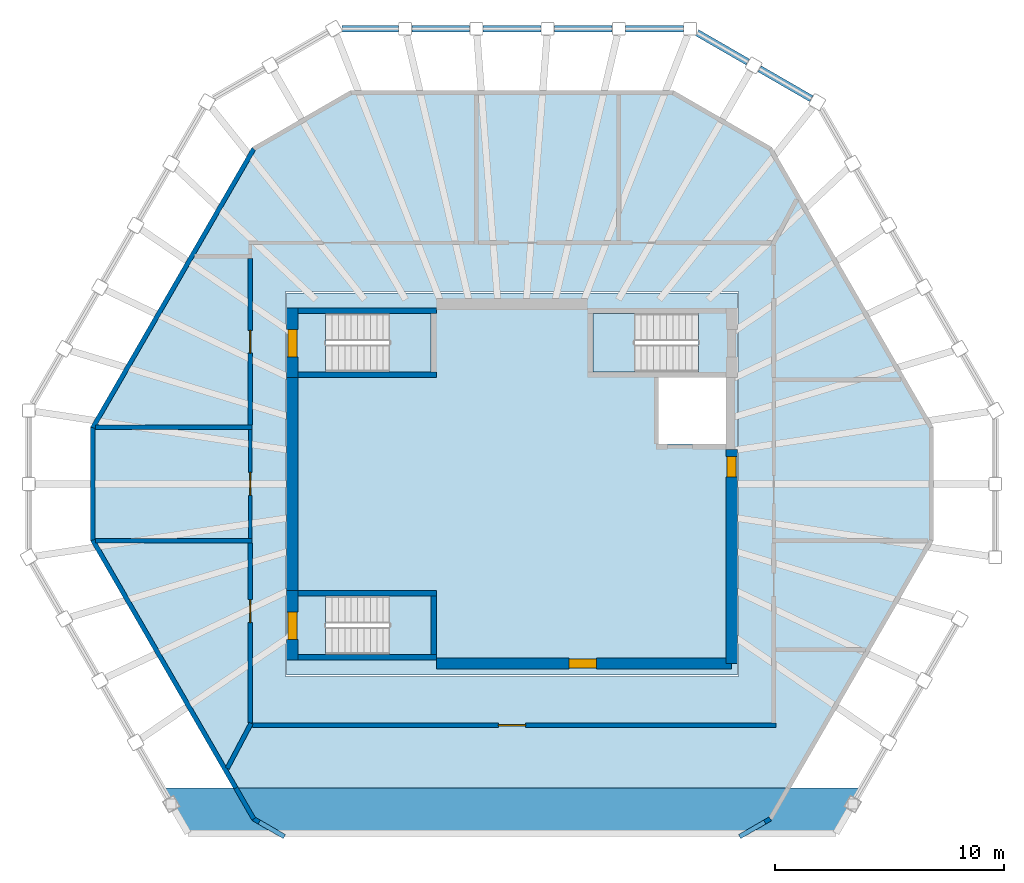
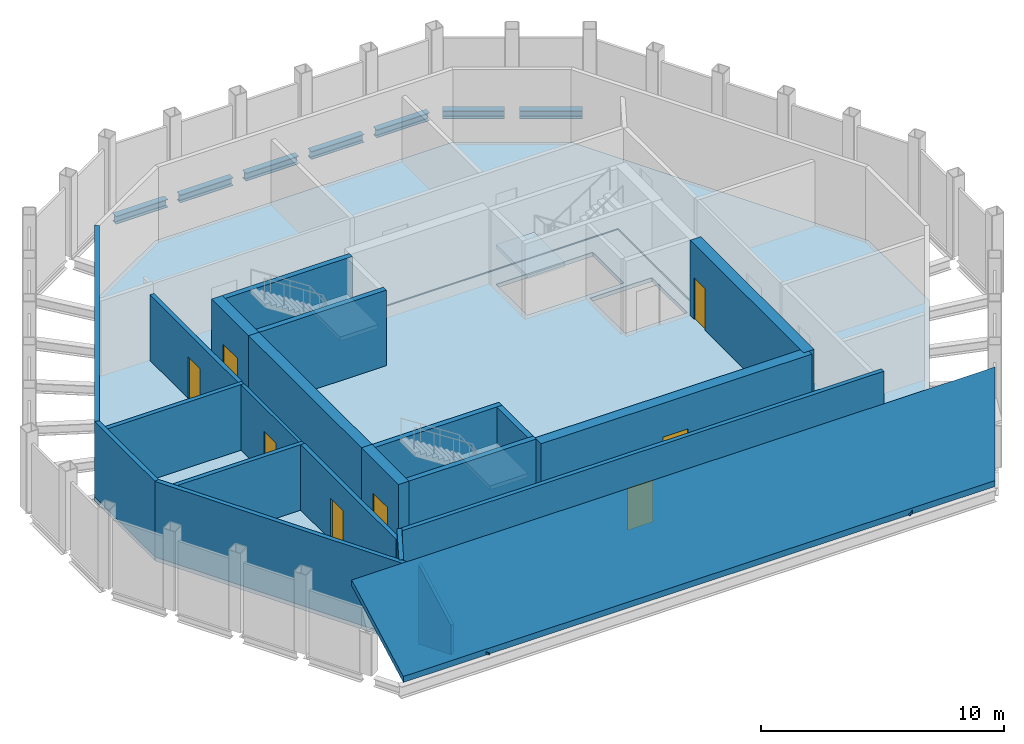
# One storey, part 2 of 5: 23 walls, 8 doors, 7 beams, 6 slabs, 8 openings, 3 elements without a shape of their own.
"""IFC4 building model written with IfcOpenShell, lengths in metres."""

from ifc_helpers import new_model, si_unit, direction, frame, frame_2d, origin, origin_2d, place, context, subcontext, project, spatial, polyline, rectangle, i_section, outline, extrude, material, layer, layer_set, material_profile, profile_set, type_object, element, fill, aggregate, save


model = new_model("IFC4")

# Units and contexts
model_context = context("Model", 3, precision=1e-05, world=origin(), true_north=direction((0.0, 1.0)))
body_context = subcontext(model_context, "Body", "Model", "MODEL_VIEW")
ifc_project = project(units=[si_unit("LENGTHUNIT", "METRE"), si_unit("AREAUNIT", "SQUARE_METRE"), si_unit("VOLUMEUNIT", "CUBIC_METRE"), si_unit("PLANEANGLEUNIT", "RADIAN"), si_unit("MASSUNIT", "GRAM", prefix="KILO")], contexts=[model_context])

# Site, building, storey
site_placement = place(None, origin())
site = spatial("IfcSite", under=ifc_project, at=site_placement, CompositionType="ELEMENT")
building_placement = place(site_placement, origin())
building = spatial("IfcBuilding", under=site, at=building_placement, Name="Frailejon Research Tower", CompositionType="ELEMENT")
storey_placement = place(building_placement, frame((0.0, 0.0, 348.60009765625)))
storey = spatial("IfcBuildingStorey", under=building, at=storey_placement, Name="L78", CompositionType="ELEMENT", Elevation=348.60009765625)

# Beams
ifc_material_1 = material(Name="Steel S355", Category="steel")
ifc_material_profile = material_profile(ifc_material_1, i_section(OverallWidth=0.300048828125, OverallDepth=0.39990234375, WebThickness=0.013427734375, FlangeThickness=0.02392578125, FilletRadius=0.027099609375, at=origin_2d()), Name="HE 400 B")
ifc_profile_set = profile_set([ifc_material_profile], Name="Steel S355")
beam_type = type_object("IfcBeamType", Name="Crown ring beam", PredefinedType="BEAM", material=ifc_profile_set)
beam_1_placement = place(storey_placement, frame((13.08056640625, 16.843994140625, -0.400146484375), z_axis=(-0.866049872286, 0.499957616916, 0.0), x_axis=(-0.499957616916, -0.866049872286, 0.0)))
element("IfcBeam", 1, at=beam_1_placement, inside=storey, type_object=beam_type, Name="Crown ring beam", PredefinedType="BEAM", context=body_context, shape_type="SweptSolid", body=[
    extrude(i_section(OverallWidth=0.300048828125, OverallDepth=0.39990234375, WebThickness=0.013427734375, FlangeThickness=0.02392578125, FilletRadius=0.027099609375, at=origin_2d()), origin(), (0.0, 0.0, 1.0), 2.606201171875),
])
beam_2_placement = place(storey_placement, frame((10.303955078125, 18.447021484375, -0.400146484375), z_axis=(-0.866039463868, 0.499975646431, 0.0), x_axis=(-0.499975646431, -0.866039463868, 0.0)))
element("IfcBeam", 2, at=beam_2_placement, inside=storey, type_object=beam_type, Name="Crown ring beam", PredefinedType="BEAM", context=body_context, shape_type="SweptSolid", body=[
    extrude(i_section(OverallWidth=0.300048828125, OverallDepth=0.39990234375, WebThickness=0.013427734375, FlangeThickness=0.02392578125, FilletRadius=0.027099609375, at=origin_2d()), origin(), (0.0, 0.0, 1.0), 2.559814453125),
])
for number, where, z_axis, x_axis, name in (
    (3, (7.4873046875, 19.89990234375, -0.400146484375), (-1.0, 0.0, 0.0), (0.0, -1.0, 0.0), "Crown ring beam"),
    (4, (4.372314453125, 19.89990234375, -0.400146484375), (-1.0, 0.0, 0.0), (0.0, -1.0, 0.0), "Crown ring beam"),
):
    element("IfcBeam", number, at=place(storey_placement, frame(where, z_axis=z_axis, x_axis=x_axis)), inside=storey, type_object=beam_type, Name=name, PredefinedType="BEAM", context=body_context, shape_type="SweptSolid", body=[
        extrude(i_section(OverallWidth=0.300048828125, OverallDepth=0.39990234375, WebThickness=0.013427734375, FlangeThickness=0.02392578125, FilletRadius=0.027099609375, at=origin_2d()), origin(), (0.0, 0.0, 1.0), 2.514892578125),
    ])
beam_3_placement = place(storey_placement, frame((1.25732421875, 19.89990234375, -0.400146484375), z_axis=(-1.0, 0.0, 0.0), x_axis=(0.0, -1.0, 0.0)))
element("IfcBeam", 5, at=beam_3_placement, inside=storey, type_object=beam_type, Name="Crown ring beam", PredefinedType="BEAM", context=body_context, shape_type="SweptSolid", body=[
    extrude(i_section(OverallWidth=0.300048828125, OverallDepth=0.39990234375, WebThickness=0.013427734375, FlangeThickness=0.02392578125, FilletRadius=0.027099609375, at=origin_2d()), origin(), (0.0, 0.0, 1.0), 2.5146484375),
])
beam_4_placement = place(storey_placement, frame((-1.857421875, 19.89990234375, -0.400146484375), z_axis=(-1.0, 0.0, 0.0), x_axis=(0.0, -1.0, 0.0)))
element("IfcBeam", 6, at=beam_4_placement, inside=storey, type_object=beam_type, Name="Crown ring beam", PredefinedType="BEAM", context=body_context, shape_type="SweptSolid", body=[
    extrude(i_section(OverallWidth=0.300048828125, OverallDepth=0.39990234375, WebThickness=0.013427734375, FlangeThickness=0.02392578125, FilletRadius=0.027099609375, at=origin_2d()), origin(), (0.0, 0.0, 1.0), 2.514892578125),
])
beam_5_placement = place(storey_placement, frame((-4.972412109375, 19.89990234375, -0.400146484375), z_axis=(-1.0, 0.0, 0.0), x_axis=(0.0, -1.0, 0.0)))
element("IfcBeam", 7, at=beam_5_placement, inside=storey, type_object=beam_type, Name="Crown ring beam", PredefinedType="BEAM", context=body_context, shape_type="SweptSolid", body=[
    extrude(i_section(OverallWidth=0.300048828125, OverallDepth=0.39990234375, WebThickness=0.013427734375, FlangeThickness=0.02392578125, FilletRadius=0.027099609375, at=origin_2d()), origin(), (0.0, 0.0, 1.0), 2.468505859375),
])

# Slabs
ifc_material_2 = material(Name="Concrete C50/60", Category="concrete")
ifc_layer_1 = layer(ifc_material_2, 0.199951171875)
ifc_layer_set_1 = layer_set([ifc_layer_1], Name="Core floor slab 200 C50/60")
slab_type_1 = type_object("IfcSlabType", Name="Core floor slab 200 C50/60", PredefinedType="FLOOR", material=ifc_layer_set_1)
slab_1_placement = place(storey_placement, frame((0.0, 0.0, -0.2001953125)))
element("IfcSlab", 8, at=slab_1_placement, inside=storey, type_object=slab_type_1, Name="Core floor slab", PredefinedType="FLOOR", context=body_context, shape_type="SweptSolid", body=[
    extrude(outline(polyline([(-9.85009765625, -8.35009765625), (-9.85009765625, 8.35009765625), (9.85009765625, 8.35009765625), (9.85009765625, -8.35009765625), (-9.85009765625, -8.35009765625)]), holes=[polyline([(9.35009765625, 1.75), (9.35009765625, 4.64990234375), (6.39990234375, 4.64990234375), (6.39990234375, 1.75), (9.35009765625, 1.75)]), polyline([(-8.14697265625, 4.89990234375), (-3.550048828125, 4.89990234375), (-3.550048828125, 7.449951171875), (-8.14697265625, 7.449951171875), (-8.14697265625, 4.89990234375)]), polyline([(-8.14697265625, -7.449951171875), (-3.550048828125, -7.449951171875), (-3.550048828125, -4.89990234375), (-8.14697265625, -4.89990234375), (-8.14697265625, -7.449951171875)]), polyline([(8.14697265625, 7.449951171875), (3.550048828125, 7.449951171875), (3.550048828125, 4.89990234375), (8.14697265625, 4.89990234375), (8.14697265625, 7.449951171875)])]), origin(), (0.0, 0.0, 1.0), 0.2001953125),
])
ifc_material_3 = material(Name="Safety glass roof panel on steel frame", Category="steel")
ifc_layer_2 = layer(ifc_material_3, 0.300048828125)
ifc_layer_set_2 = layer_set([ifc_layer_2], Name="Crown glazed roof facet 300")
slab_type_2 = type_object("IfcSlabType", Name="Crown glazed roof facet 300", PredefinedType="ROOF", material=ifc_layer_set_2)
slab_2_placement = place(storey_placement, frame((-15.30419921875, -13.292236328125, 4.0), z_axis=(0.0, -0.88293703386, 0.469491420837), x_axis=(1.0, 0.0, 0.0)))
element("IfcSlab", 9, at=slab_2_placement, inside=storey, type_object=slab_type_2, Name="Crown glazed roof facet 2", PredefinedType="ROOF", context=body_context, shape_type="SweptSolid", body=[
    extrude(outline(polyline([(0.0, 0.0), (30.6083984375, 0.0), (29.380615234375, -4.5303343801475915), (1.227783203125, -4.5303343801475915), (0.0, 0.0)])), origin(), (0.0, 0.88293703386, 0.469491420837), 0.300048828125),
])
ifc_material_4 = material(Name="Concrete C30/37", Category="concrete")
ifc_layer_3 = layer(ifc_material_4, 0.199951171875)
ifc_layer_set_3 = layer_set([ifc_layer_3], Name="Crown slab 200")
slab_type_3 = type_object("IfcSlabType", Name="Crown slab 200", PredefinedType="FLOOR", material=ifc_layer_set_3)
slab_3_placement = place(storey_placement, frame((0.0, 0.0, -0.2001953125)))
element("IfcSlab", 10, at=slab_3_placement, inside=storey, type_object=slab_type_3, Name="Floor slab L78", PredefinedType="FLOOR", context=body_context, shape_type="SweptSolid", body=[
    extrude(outline(polyline([(-18.427490234375, 2.482666015625), (-18.427490234375, -2.482666015625), (-11.36376953125, -14.71728515625), (-10.793212890625, -15.046875), (10.793212890625, -15.046875), (11.36376953125, -14.71728515625), (18.427490234375, -2.482666015625), (18.427490234375, 2.482666015625), (11.36376953125, 14.71728515625), (7.063720703125, 17.199951171875), (-7.063720703125, 17.199951171875), (-11.36376953125, 14.71728515625), (-18.427490234375, 2.482666015625)]), holes=[polyline([(9.909912109375, 8.409912109375), (9.909912109375, -8.409912109375), (-9.909912109375, -8.409912109375), (-9.909912109375, 8.409912109375), (9.909912109375, 8.409912109375)])]), origin(), (0.0, 0.0, 1.0), 0.2001953125),
])

# Stair, slab
ifc_material_5 = material(Name="Concrete C50/60", Category="concrete")
stair_type = type_object("IfcStairType", Name="Exit stair 22 risers", PredefinedType="HALF_TURN_STAIR", material=ifc_material_5)
stair_1_placement = place(storey_placement, origin())
stair_1 = element("IfcStair", 11, at=stair_1_placement, inside=storey, type_object=stair_type, Name="L78 Exit stair ST1", PredefinedType="HALF_TURN_STAIR")
ifc_material_6 = material(Name="Concrete C50/60", Category="concrete")
ifc_layer_4 = layer(ifc_material_6, 0.199951171875)
ifc_layer_set_4 = layer_set([ifc_layer_4], Name="Stair landing slab 200")
slab_type_4 = type_object("IfcSlabType", Name="Stair landing slab 200", PredefinedType="LANDING", material=ifc_layer_set_4)
slab_4_placement = place(storey_placement, frame((0.0, 0.0, 1.7998046875)))
slab_4 = element("IfcSlab", 12, at=slab_4_placement, type_object=slab_type_4, Name="ST1 landing 1", PredefinedType="LANDING", context=body_context, shape_type="SweptSolid", body=[
    extrude(outline(polyline([(-5.35009765625, 4.89990234375), (-3.550048828125, 4.89990234375), (-3.550048828125, 7.449951171875), (-5.35009765625, 7.449951171875), (-5.35009765625, 4.89990234375)])), origin(), (0.0, 0.0, 1.0), 0.2001953125),
])
aggregate(stair_1, [slab_4])

stair_2_placement = place(storey_placement, origin())
stair_2 = element("IfcStair", 13, at=stair_2_placement, inside=storey, type_object=stair_type, Name="L78 Exit stair ST2", PredefinedType="HALF_TURN_STAIR")
slab_5_placement = place(storey_placement, frame((0.0, 0.0, 1.7998046875)))
slab_5 = element("IfcSlab", 14, at=slab_5_placement, type_object=slab_type_4, Name="ST2 landing 1", PredefinedType="LANDING", context=body_context, shape_type="SweptSolid", body=[
    extrude(outline(polyline([(-5.35009765625, -7.449951171875), (-3.550048828125, -7.449951171875), (-3.550048828125, -4.89990234375), (-5.35009765625, -4.89990234375), (-5.35009765625, -7.449951171875)])), origin(), (0.0, 0.0, 1.0), 0.2001953125),
])
aggregate(stair_2, [slab_5])

stair_3_placement = place(storey_placement, origin())
stair_3 = element("IfcStair", 15, at=stair_3_placement, inside=storey, type_object=stair_type, Name="L78 Exit stair ST3", PredefinedType="HALF_TURN_STAIR")
slab_6_placement = place(storey_placement, frame((0.0, 0.0, 1.7998046875)))
slab_6 = element("IfcSlab", 16, at=slab_6_placement, type_object=slab_type_4, Name="ST3 landing 1", PredefinedType="LANDING", context=body_context, shape_type="SweptSolid", body=[
    extrude(outline(polyline([(5.35009765625, 7.449951171875), (3.550048828125, 7.449951171875), (3.550048828125, 4.89990234375), (5.35009765625, 4.89990234375), (5.35009765625, 7.449951171875)])), origin(), (0.0, 0.0, 1.0), 0.2001953125),
])
aggregate(stair_3, [slab_6])

# Wall, opening, door
ifc_material_7 = material(Name="Concrete C50/60", Category="concrete")
ifc_layer_5 = layer(ifc_material_7, 0.5)
ifc_layer_set_5 = layer_set([ifc_layer_5], Name="Core shear wall 500 C50/60")
wall_type_1 = type_object("IfcWallType", Name="Core shear wall 500 C50/60", PredefinedType="SHEAR", material=ifc_layer_set_5)
wall_1_placement = place(storey_placement, frame((9.60009765625, -7.85009765625, 0.0), z_axis=(0.0, 0.0, 1.0), x_axis=(0.0, 1.0, 0.0)))
wall_1 = element("IfcWall", 17, at=wall_1_placement, inside=storey, type_object=wall_type_1, Name="Core shear wall", PredefinedType="SHEAR", context=body_context, shape_type="SweptSolid", body=[
    extrude(rectangle(XDim=9.35009765625, YDim=0.5, at=frame_2d((4.675048828125, 0.0))), origin(), (0.0, 0.0, 1.0), 3.7998046875),
])
opening_1_placement = place(wall_1_placement, frame((8.14990234375, 0.0, 0.0)))
opening_1 = element("IfcOpeningElement", 18, at=opening_1_placement, cuts=wall_1, Name="Opening D8", PredefinedType="OPENING", context=body_context, shape_type="SweptSolid", body=[
    extrude(rectangle(XDim=0.89990234375, YDim=2.10009765625, at=frame_2d((0.449951171875, 1.050048828125))), frame((0.0, 0.260009765625, 0.0), z_axis=(0.0, -1.0, 0.0), x_axis=(1.0, 0.0, 0.0)), (0.0, 0.0, 1.0), 0.52001953125),
])
ifc_material_8 = material(Name="Steel", Category="steel")
door_type_1 = type_object("IfcDoorType", Name="Core room door", OperationType="SINGLE_SWING_LEFT", PredefinedType="DOOR", material=ifc_material_8)
door_1_placement = place(opening_1_placement, origin())
door_1 = element("IfcDoor", 19, at=door_1_placement, inside=storey, type_object=door_type_1, Name="Lift lobby door", OperationType="SINGLE_SWING_RIGHT", OverallHeight=2.10009765625, OverallWidth=0.89990234375, PredefinedType="DOOR", context=body_context, shape_type="SweptSolid", body=[
    extrude(rectangle(XDim=0.89990234375, YDim=2.10009765625, at=frame_2d((0.449951171875, 1.050048828125))), frame((0.0, 0.199951171875, 0.0), z_axis=(0.0, -1.0, 0.0), x_axis=(1.0, 0.0, 0.0)), (0.0, 0.0, 1.0), 0.39990234375),
])
fill(opening_1, door_1)

# Wall
wall_2_placement = place(storey_placement, frame((-9.60009765625, 4.64990234375, 0.0), z_axis=(0.0, 0.0, 1.0), x_axis=(0.0, -1.0, 0.0)))
element("IfcWall", 20, at=wall_2_placement, inside=storey, type_object=wall_type_1, Name="Core shear wall", PredefinedType="SHEAR", context=body_context, shape_type="SweptSolid", body=[
    extrude(rectangle(XDim=9.2998046875, YDim=0.5, at=frame_2d((4.64990234375, 0.0))), origin(), (0.0, 0.0, 1.0), 3.7998046875),
])

# Wall, opening, door
wall_3_placement = place(storey_placement, frame((-3.300048828125, -7.85009765625, 0.0), z_axis=(0.0, 0.0, 1.0), x_axis=(1.0, 0.0, 0.0)))
wall_3 = element("IfcWall", 21, at=wall_3_placement, inside=storey, type_object=wall_type_1, Name="Core shear wall", PredefinedType="SHEAR", context=body_context, shape_type="SweptSolid", body=[
    extrude(rectangle(XDim=12.900146484375, YDim=0.5, at=frame_2d((6.4501953125, 0.0))), origin(), (0.0, 0.0, 1.0), 3.7998046875),
])
opening_2_placement = place(wall_3_placement, frame((5.800048828125, 0.0, 0.0)))
opening_2 = element("IfcOpeningElement", 22, at=opening_2_placement, cuts=wall_3, Name="Opening D6", PredefinedType="OPENING", context=body_context, shape_type="SweptSolid", body=[
    extrude(rectangle(XDim=1.199951171875, YDim=2.10009765625, at=frame_2d((0.60009765625, 1.050048828125))), frame((0.0, 0.260009765625, 0.0), z_axis=(0.0, -1.0, 0.0), x_axis=(1.0, 0.0, 0.0)), (0.0, 0.0, 1.0), 0.52001953125),
])
ifc_material_9 = material(Name="Steel", Category="steel")
door_type_2 = type_object("IfcDoorType", Name="Plant door", OperationType="SINGLE_SWING_LEFT", PredefinedType="DOOR", material=ifc_material_9)
door_2_placement = place(opening_2_placement, origin())
door_2 = element("IfcDoor", 23, at=door_2_placement, inside=storey, type_object=door_type_2, Name="Room door", OperationType="SINGLE_SWING_LEFT", OverallHeight=2.10009765625, OverallWidth=1.199951171875, PredefinedType="DOOR", context=body_context, shape_type="SweptSolid", body=[
    extrude(rectangle(XDim=1.199951171875, YDim=2.10009765625, at=frame_2d((0.60009765625, 1.050048828125))), frame((0.0, 0.199951171875, 0.0), z_axis=(0.0, -1.0, 0.0), x_axis=(1.0, 0.0, 0.0)), (0.0, 0.0, 1.0), 0.39990234375),
])
fill(opening_2, door_2)

wall_4_placement = place(storey_placement, frame((-9.60009765625, 4.64990234375, 0.0), z_axis=(0.0, 0.0, 1.0), x_axis=(0.0, 1.0, 0.0)))
wall_4 = element("IfcWall", 24, at=wall_4_placement, inside=storey, type_object=wall_type_1, Name="Core shear wall", PredefinedType="SHEAR", context=body_context, shape_type="SweptSolid", body=[
    extrude(rectangle(XDim=3.050048828125, YDim=0.5, at=frame_2d((1.52490234375, 0.0))), origin(), (0.0, 0.0, 1.0), 3.7998046875),
])
opening_3_placement = place(wall_4_placement, frame((0.89990234375, 0.0, 0.0)))
opening_3 = element("IfcOpeningElement", 25, at=opening_3_placement, cuts=wall_4, Name="Opening D7", PredefinedType="OPENING", context=body_context, shape_type="SweptSolid", body=[
    extrude(rectangle(XDim=1.199951171875, YDim=2.10009765625, at=frame_2d((0.60009765625, 1.050048828125))), frame((0.0, 0.260009765625, 0.0), z_axis=(0.0, -1.0, 0.0), x_axis=(1.0, 0.0, 0.0)), (0.0, 0.0, 1.0), 0.52001953125),
])
ifc_material_10 = material(Name="Steel", Category="steel")
door_type_3 = type_object("IfcDoorType", Name="Stair exit door", OperationType="SINGLE_SWING_LEFT", PredefinedType="DOOR", material=ifc_material_10)
door_3_placement = place(opening_3_placement, origin())
door_3 = element("IfcDoor", 26, at=door_3_placement, inside=storey, type_object=door_type_3, Name="Stair door ST1", OperationType="SINGLE_SWING_RIGHT", OverallHeight=2.10009765625, OverallWidth=1.199951171875, PredefinedType="DOOR", context=body_context, shape_type="SweptSolid", body=[
    extrude(rectangle(XDim=1.199951171875, YDim=2.10009765625, at=frame_2d((0.60009765625, 1.050048828125))), frame((0.0, 0.199951171875, 0.0), z_axis=(0.0, -1.0, 0.0), x_axis=(1.0, 0.0, 0.0)), (0.0, 0.0, 1.0), 0.39990234375),
])
fill(opening_3, door_3)

wall_5_placement = place(storey_placement, frame((-9.60009765625, -7.699951171875, 0.0), z_axis=(0.0, 0.0, 1.0), x_axis=(0.0, 1.0, 0.0)))
wall_5 = element("IfcWall", 27, at=wall_5_placement, inside=storey, type_object=wall_type_1, Name="Core shear wall", PredefinedType="SHEAR", context=body_context, shape_type="SweptSolid", body=[
    extrude(rectangle(XDim=3.050048828125, YDim=0.5, at=frame_2d((1.52490234375, 0.0))), origin(), (0.0, 0.0, 1.0), 3.7998046875),
])
opening_4_placement = place(wall_5_placement, frame((0.89990234375, 0.0, 0.0)))
opening_4 = element("IfcOpeningElement", 28, at=opening_4_placement, cuts=wall_5, Name="Opening D7", PredefinedType="OPENING", context=body_context, shape_type="SweptSolid", body=[
    extrude(rectangle(XDim=1.199951171875, YDim=2.10009765625, at=frame_2d((0.60009765625, 1.050048828125))), frame((0.0, 0.260009765625, 0.0), z_axis=(0.0, -1.0, 0.0), x_axis=(1.0, 0.0, 0.0)), (0.0, 0.0, 1.0), 0.52001953125),
])
door_4_placement = place(opening_4_placement, origin())
door_4 = element("IfcDoor", 29, at=door_4_placement, inside=storey, type_object=door_type_3, Name="Stair door ST2", OperationType="SINGLE_SWING_LEFT", OverallHeight=2.10009765625, OverallWidth=1.199951171875, PredefinedType="DOOR", context=body_context, shape_type="SweptSolid", body=[
    extrude(rectangle(XDim=1.199951171875, YDim=2.10009765625, at=frame_2d((0.60009765625, 1.050048828125))), frame((0.0, 0.199951171875, 0.0), z_axis=(0.0, -1.0, 0.0), x_axis=(1.0, 0.0, 0.0)), (0.0, 0.0, 1.0), 0.39990234375),
])
fill(opening_4, door_4)

ifc_material_11 = material(Name="Gypsum board and masonry partition", Category="masonry")
ifc_layer_6 = layer(ifc_material_11, 0.14990234375)
ifc_layer_set_6 = layer_set([ifc_layer_6], Name="Corridor wall EI 60, gypsum on steel studs 150")
wall_type_2 = type_object("IfcWallType", Name="Corridor wall EI 60, gypsum on steel studs 150", PredefinedType="PARTITIONING", material=ifc_layer_set_6)
wall_6_placement = place(storey_placement, frame((-11.449951171875, -2.382568359375, 0.0), z_axis=(0.0, 0.0, 1.0), x_axis=(0.0, 1.0, 0.0)))
wall_6 = element("IfcWall", 30, at=wall_6_placement, inside=storey, type_object=wall_type_2, Name="T:IW:L78:002", PredefinedType="PARTITIONING", context=body_context, shape_type="SweptSolid", body=[
    extrude(rectangle(XDim=4.76513671875, YDim=0.14990234375, at=frame_2d((2.382568359375, 0.0))), origin(), (0.0, 0.0, 1.0), 3.2998046875),
])
opening_5_placement = place(wall_6_placement, frame((1.882568359375, 0.0, 0.0)))
opening_5 = element("IfcOpeningElement", 31, at=opening_5_placement, cuts=wall_6, Name="Opening D1178", PredefinedType="OPENING", context=body_context, shape_type="SweptSolid", body=[
    extrude(rectangle(XDim=1.0, YDim=2.10009765625, at=frame_2d((0.5, 1.050048828125))), frame((0.0, 0.0849609375, 0.0), z_axis=(0.0, -1.0, 0.0), x_axis=(1.0, 0.0, 0.0)), (0.0, 0.0, 1.0), 0.169921875),
])
ifc_material_12 = material(Name="Timber door leaf", Category="wood")
door_type_4 = type_object("IfcDoorType", Name="Door single leaf, timber, steel frame 1000", OperationType="NOTDEFINED", PredefinedType="DOOR", material=ifc_material_12)
door_5_placement = place(opening_5_placement, origin())
door_5 = element("IfcDoor", 32, at=door_5_placement, inside=storey, type_object=door_type_4, Name="D1178", OperationType="SINGLE_SWING_LEFT", OverallHeight=2.10009765625, OverallWidth=1.0, PredefinedType="DOOR", context=body_context, shape_type="SweptSolid", body=[
    extrude(rectangle(XDim=1.0, YDim=2.10009765625, at=frame_2d((0.5, 1.050048828125))), frame((0.0, 0.02490234375, 0.0), z_axis=(0.0, -1.0, 0.0), x_axis=(1.0, 0.0, 0.0)), (0.0, 0.0, 1.0), 0.050048828125),
])
fill(opening_5, door_5)

# Walls
ifc_material_13 = material(Name="Aluminium louvre cladding panel", Category="aluminium")
ifc_layer_7 = layer(ifc_material_13, 0.199951171875)
ifc_layer_set_7 = layer_set([ifc_layer_7], Name="Crown louvred wall 200")
wall_type_3 = type_object("IfcWallType", Name="Crown louvred wall 200", PredefinedType="SOLIDWALL", material=ifc_layer_set_7)
wall_7_placement = place(storey_placement, frame((-11.29052734375, 14.644287109375, 0.0), z_axis=(0.0, 0.0, 1.0), x_axis=(-0.499991740577, -0.866030172312, 0.0)))
element("IfcWall", 33, at=wall_7_placement, inside=storey, type_object=wall_type_3, Name="Crown louvred wall L78", PredefinedType="SOLIDWALL", context=body_context, shape_type="SweptSolid", body=[
    extrude(outline(polyline([(-0.02685546875, -0.10009765625), (14.100830078125, -0.10009765625), (14.047119140625, 0.10009765625), (0.02685546875, 0.10009765625), (-0.02685546875, -0.10009765625)])), origin(), (0.0, 0.0, 1.0), 3.7998046875),
])
wall_8_placement = place(storey_placement, frame((-18.327392578125, 2.455810546875, 0.0), z_axis=(0.0, 0.0, 1.0), x_axis=(0.0, -1.0, 0.0)))
element("IfcWall", 34, at=wall_8_placement, inside=storey, type_object=wall_type_3, Name="Crown louvred wall L78", PredefinedType="SOLIDWALL", context=body_context, shape_type="SweptSolid", body=[
    extrude(outline(polyline([(-0.02685546875, -0.10009765625), (4.9384765625, -0.10009765625), (4.884765625, 0.10009765625), (0.02685546875, 0.10009765625), (-0.02685546875, -0.10009765625)])), origin(), (0.0, 0.0, 1.0), 3.7998046875),
])
wall_9_placement = place(storey_placement, frame((-18.327392578125, -2.455810546875, 0.0), z_axis=(0.0, 0.0, 1.0), x_axis=(0.499996062888, -0.866027676865, 0.0)))
element("IfcWall", 35, at=wall_9_placement, inside=storey, type_object=wall_type_3, Name="Crown louvred wall L78", PredefinedType="SOLIDWALL", context=body_context, shape_type="SweptSolid", body=[
    extrude(outline(polyline([(-0.02685546875, -0.10009765625), (12.5126953125, -0.10009765625), (12.5126953125, 0.10009765625), (0.02685546875, 0.10009765625), (-0.02685546875, -0.10009765625)])), origin(), (0.0, 0.0, 1.0), 3.7998046875),
])
wall_10_placement = place(storey_placement, frame((-12.071044921875, -13.292236328125, 0.0), z_axis=(0.0, 0.0, 1.0), x_axis=(0.499957096737, -0.866050172578, 0.0)))
element("IfcWall", 36, at=wall_10_placement, inside=storey, type_object=wall_type_3, Name="Crown louvred wall L78", PredefinedType="SOLIDWALL", context=body_context, shape_type="SweptSolid", body=[
    extrude(outline(polyline([(0.0, 0.0), (1.561279296875, 0.0), (1.56103515625, 1.457275390625), (0.0, 4.0), (0.0, 0.0)])), frame((0.0, 0.10009765625, 0.0), z_axis=(0.0, -1.0, 0.0), x_axis=(1.0, 0.0, 0.0)), (0.0, 0.0, 1.0), 0.199951171875),
])
wall_11_placement = place(storey_placement, frame((-11.29052734375, -14.644287109375, 0.0), z_axis=(0.0, 0.0, 1.0), x_axis=(0.866004557827, -0.500036104519, 0.0)))
element("IfcWall", 37, at=wall_11_placement, inside=storey, type_object=wall_type_3, Name="Crown louvred wall L78", PredefinedType="SOLIDWALL", context=body_context, shape_type="SweptSolid", body=[
    extrude(outline(polyline([(0.0, 0.0), (1.5498046875, 0.0), (1.5498046875, 0.02978515625), (0.0, 1.457275390625), (0.0, 0.0)])), frame((0.0, 0.10009765625, 0.0), z_axis=(0.0, -1.0, 0.0), x_axis=(1.0, 0.0, 0.0)), (0.0, 0.0, 1.0), 0.199951171875),
])
wall_12_placement = place(storey_placement, frame((9.948486328125, -15.419189453125, 0.0), z_axis=(0.0, 0.0, 1.0), x_axis=(0.866004557827, 0.500036104519, 0.0)))
element("IfcWall", 38, at=wall_12_placement, inside=storey, type_object=wall_type_3, Name="Crown louvred wall L78", PredefinedType="SOLIDWALL", context=body_context, shape_type="SweptSolid", body=[
    extrude(outline(polyline([(0.0, 0.0), (1.5498046875, 0.0), (1.5498046875, 1.457275390625), (0.0, 0.02978515625), (0.0, 0.0)])), frame((0.0, 0.10009765625, 0.0), z_axis=(0.0, -1.0, 0.0), x_axis=(1.0, 0.0, 0.0)), (0.0, 0.0, 1.0), 0.199951171875),
])

# Wall, opening, door
ifc_material_14 = material(Name="Gypsum board and masonry partition", Category="masonry")
ifc_layer_8 = layer(ifc_material_14, 0.199951171875)
ifc_layer_set_8 = layer_set([ifc_layer_8], Name="Plant enclosure wall, blockwork 200")
wall_type_4 = type_object("IfcWallType", Name="Plant enclosure wall, blockwork 200", PredefinedType="PARTITIONING", material=ifc_layer_set_8)
wall_13_placement = place(storey_placement, frame((-11.449951171875, -10.449951171875, 0.0), z_axis=(0.0, 0.0, 1.0), x_axis=(0.0, 1.0, 0.0)))
wall_13 = element("IfcWall", 39, at=wall_13_placement, inside=storey, type_object=wall_type_4, Name="T:IW:L78:008", PredefinedType="PARTITIONING", context=body_context, shape_type="SweptSolid", body=[
    extrude(rectangle(XDim=7.867431640625, YDim=0.199951171875, at=frame_2d((3.93359375, 0.0))), origin(), (0.0, 0.0, 1.0), 3.2998046875),
])
opening_6_placement = place(wall_13_placement, frame((4.388916015625, 0.0, 0.0)))
opening_6 = element("IfcOpeningElement", 40, at=opening_6_placement, cuts=wall_13, Name="Opening D1179", PredefinedType="OPENING", context=body_context, shape_type="SweptSolid", body=[
    extrude(rectangle(XDim=1.0, YDim=2.10009765625, at=frame_2d((0.5, 1.050048828125))), frame((0.0, 0.10986328125, 0.0), z_axis=(0.0, -1.0, 0.0), x_axis=(1.0, 0.0, 0.0)), (0.0, 0.0, 1.0), 0.219970703125),
])
ifc_material_15 = material(Name="Steel door leaf", Category="steel")
door_type_5 = type_object("IfcDoorType", Name="Door plant room, steel 1000", OperationType="NOTDEFINED", PredefinedType="DOOR", material=ifc_material_15)
door_6_placement = place(opening_6_placement, origin())
door_6 = element("IfcDoor", 41, at=door_6_placement, inside=storey, type_object=door_type_5, Name="D1179", OperationType="SINGLE_SWING_RIGHT", OverallHeight=2.10009765625, OverallWidth=1.0, PredefinedType="DOOR", context=body_context, shape_type="SweptSolid", body=[
    extrude(rectangle(XDim=1.0, YDim=2.10009765625, at=frame_2d((0.5, 1.050048828125))), frame((0.0, 0.02490234375, 0.0), z_axis=(0.0, -1.0, 0.0), x_axis=(1.0, 0.0, 0.0)), (0.0, 0.0, 1.0), 0.050048828125),
])
fill(opening_6, door_6)

wall_14_placement = place(storey_placement, frame((-11.449951171875, 2.58251953125, 0.0), z_axis=(0.0, 0.0, 1.0), x_axis=(0.0, 1.0, 0.0)))
wall_14 = element("IfcWall", 42, at=wall_14_placement, inside=storey, type_object=wall_type_4, Name="T:IW:L78:009", PredefinedType="PARTITIONING", context=body_context, shape_type="SweptSolid", body=[
    extrude(rectangle(XDim=7.266357421875, YDim=0.199951171875, at=frame_2d((3.63330078125, 0.0))), origin(), (0.0, 0.0, 1.0), 3.2998046875),
])
opening_7_placement = place(wall_14_placement, frame((3.133056640625, 0.0, 0.0)))
opening_7 = element("IfcOpeningElement", 43, at=opening_7_placement, cuts=wall_14, Name="Opening D1177", PredefinedType="OPENING", context=body_context, shape_type="SweptSolid", body=[
    extrude(rectangle(XDim=1.0, YDim=2.10009765625, at=frame_2d((0.5, 1.050048828125))), frame((0.0, 0.10986328125, 0.0), z_axis=(0.0, -1.0, 0.0), x_axis=(1.0, 0.0, 0.0)), (0.0, 0.0, 1.0), 0.219970703125),
])
door_7_placement = place(opening_7_placement, origin())
door_7 = element("IfcDoor", 44, at=door_7_placement, inside=storey, type_object=door_type_5, Name="D1177", OperationType="SINGLE_SWING_RIGHT", OverallHeight=2.10009765625, OverallWidth=1.0, PredefinedType="DOOR", context=body_context, shape_type="SweptSolid", body=[
    extrude(rectangle(XDim=1.0, YDim=2.10009765625, at=frame_2d((0.5, 1.050048828125))), frame((0.0, 0.02490234375, 0.0), z_axis=(0.0, -1.0, 0.0), x_axis=(1.0, 0.0, 0.0)), (0.0, 0.0, 1.0), 0.050048828125),
])
fill(opening_7, door_7)

wall_15_placement = place(storey_placement, frame((-11.35009765625, -10.550048828125, 0.0), z_axis=(0.0, 0.0, 1.0), x_axis=(1.0, 0.0, 0.0)))
wall_15 = element("IfcWall", 45, at=wall_15_placement, inside=storey, type_object=wall_type_4, Name="T:IW:L78:010", PredefinedType="PARTITIONING", context=body_context, shape_type="SweptSolid", body=[
    extrude(rectangle(XDim=22.900146484375, YDim=0.199951171875, at=frame_2d((11.4501953125, 0.0))), origin(), (0.0, 0.0, 1.0), 3.7998046875),
])
opening_8_placement = place(wall_15_placement, frame((10.75, 0.0, 0.0)))
opening_8 = element("IfcOpeningElement", 46, at=opening_8_placement, cuts=wall_15, Name="Opening D1180", PredefinedType="OPENING", context=body_context, shape_type="SweptSolid", body=[
    extrude(rectangle(XDim=1.199951171875, YDim=2.10009765625, at=frame_2d((0.60009765625, 1.050048828125))), frame((0.0, 0.10986328125, 0.0), z_axis=(0.0, -1.0, 0.0), x_axis=(1.0, 0.0, 0.0)), (0.0, 0.0, 1.0), 0.219970703125),
])
ifc_material_16 = material(Name="Steel door leaf", Category="steel")
door_type_6 = type_object("IfcDoorType", Name="Door plant room, steel 1200", OperationType="NOTDEFINED", PredefinedType="DOOR", material=ifc_material_16)
door_8_placement = place(opening_8_placement, origin())
door_8 = element("IfcDoor", 47, at=door_8_placement, inside=storey, type_object=door_type_6, Name="D1180", OperationType="DOUBLE_DOOR_SINGLE_SWING", OverallHeight=2.10009765625, OverallWidth=1.199951171875, PredefinedType="DOOR", context=body_context, shape_type="SweptSolid", body=[
    extrude(rectangle(XDim=1.199951171875, YDim=2.10009765625, at=frame_2d((0.60009765625, 1.050048828125))), frame((0.0, 0.02490234375, 0.0), z_axis=(0.0, -1.0, 0.0), x_axis=(1.0, 0.0, 0.0)), (0.0, 0.0, 1.0), 0.050048828125),
])
fill(opening_8, door_8)

# Walls
for number, where, z_axis, x_axis, name in (
    (48, (-18.196533203125, -2.482666015625, 0.0), (0.0, 0.0, 1.0), (1.0, 0.0, 0.0), "T:IW:L78:012"),
    (49, (-18.196533203125, 2.482666015625, 0.0), (0.0, 0.0, 1.0), (1.0, 0.0, 0.0), "T:IW:L78:018"),
):
    element("IfcWall", number, at=place(storey_placement, frame(where, z_axis=z_axis, x_axis=x_axis)), inside=storey, type_object=wall_type_4, Name=name, PredefinedType="PARTITIONING", context=body_context, shape_type="SweptSolid", body=[
        extrude(rectangle(XDim=6.821533203125, YDim=0.199951171875, at=frame_2d((3.41064453125, 0.0))), origin(), (0.0, 0.0, 1.0), 3.2998046875),
    ])
wall_16_placement = place(storey_placement, frame((-12.448974609375, -12.437744140625, 0.0), z_axis=(0.0, 0.0, 1.0), x_axis=(0.467712102585, 0.883880868158, 0.0)))
element("IfcWall", 50, at=wall_16_placement, inside=storey, type_object=wall_type_4, Name="T:IW:L78:019", PredefinedType="PARTITIONING", context=body_context, shape_type="SweptSolid", body=[
    extrude(rectangle(XDim=2.235595703125, YDim=0.199951171875, at=frame_2d((1.11767578125, 0.0))), origin(), (0.0, 0.0, 1.0), 3.7998046875),
])
ifc_material_17 = material(Name="Concrete C50/60", Category="concrete")
ifc_layer_9 = layer(ifc_material_17, 0.25)
ifc_layer_set_9 = layer_set([ifc_layer_9], Name="Shaft wall 250 C50/60")
wall_type_5 = type_object("IfcWallType", Name="Shaft wall 250 C50/60", PredefinedType="SOLIDWALL", material=ifc_layer_set_9)
for number, where, z_axis, x_axis, name in (
    (51, (-9.35009765625, 4.77490234375, 0.0), (0.0, 0.0, 1.0), (1.0, 0.0, 0.0), "Shaft wall"),
    (52, (-9.35009765625, 7.574951171875, 0.0), (0.0, 0.0, 1.0), (1.0, 0.0, 0.0), "Shaft wall"),
):
    element("IfcWall", number, at=place(storey_placement, frame(where, z_axis=z_axis, x_axis=x_axis)), inside=storey, type_object=wall_type_5, Name=name, PredefinedType="SOLIDWALL", context=body_context, shape_type="SweptSolid", body=[
        extrude(rectangle(XDim=6.050048828125, YDim=0.25, at=frame_2d((3.02490234375, 0.0))), origin(), (0.0, 0.0, 1.0), 3.7998046875),
    ])
wall_17_placement = place(storey_placement, frame((-3.425048828125, -7.449951171875, 0.0), z_axis=(0.0, 0.0, 1.0), x_axis=(0.0, 1.0, 0.0)))
element("IfcWall", 53, at=wall_17_placement, inside=storey, type_object=wall_type_5, Name="Shaft wall", PredefinedType="SOLIDWALL", context=body_context, shape_type="SweptSolid", body=[
    extrude(rectangle(XDim=2.550048828125, YDim=0.25, at=frame_2d((1.27490234375, 0.0))), origin(), (0.0, 0.0, 1.0), 3.7998046875),
])
for number, where, z_axis, x_axis, name in (
    (54, (-9.35009765625, -7.574951171875, 0.0), (0.0, 0.0, 1.0), (1.0, 0.0, 0.0), "Shaft wall"),
    (55, (-9.35009765625, -4.77490234375, 0.0), (0.0, 0.0, 1.0), (1.0, 0.0, 0.0), "Shaft wall"),
):
    element("IfcWall", number, at=place(storey_placement, frame(where, z_axis=z_axis, x_axis=x_axis)), inside=storey, type_object=wall_type_5, Name=name, PredefinedType="SOLIDWALL", context=body_context, shape_type="SweptSolid", body=[
        extrude(rectangle(XDim=6.050048828125, YDim=0.25, at=frame_2d((3.02490234375, 0.0))), origin(), (0.0, 0.0, 1.0), 3.7998046875),
    ])

save(model, "model.ifc")
